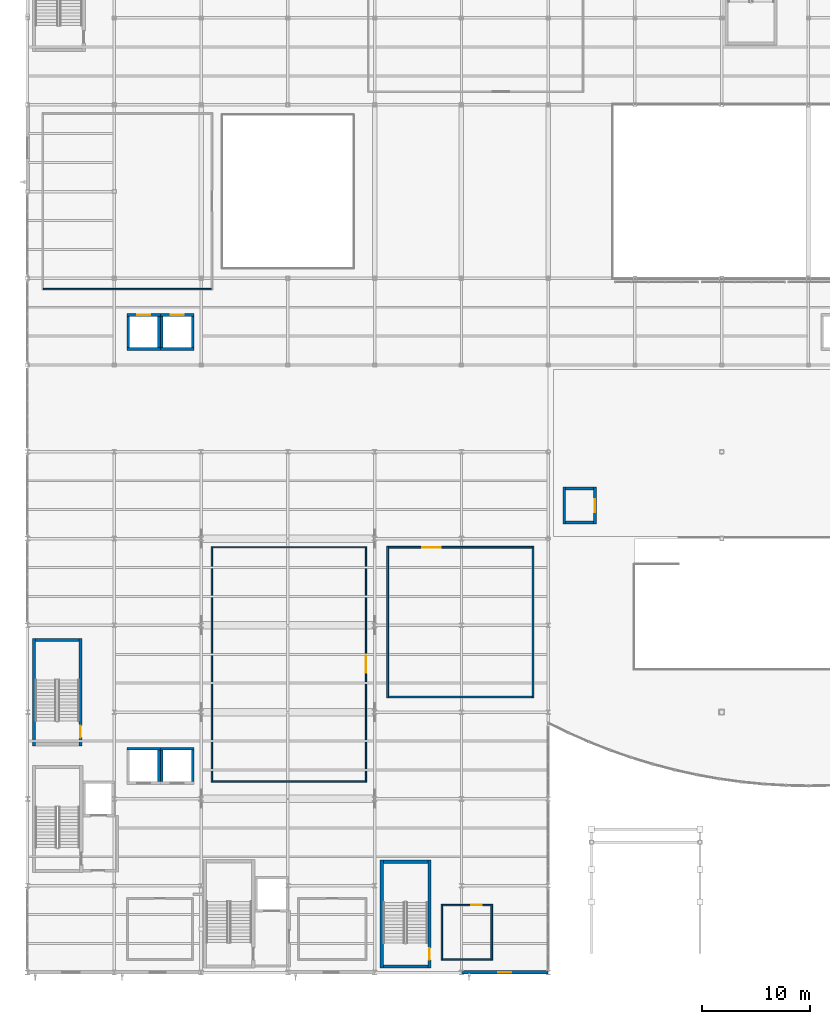
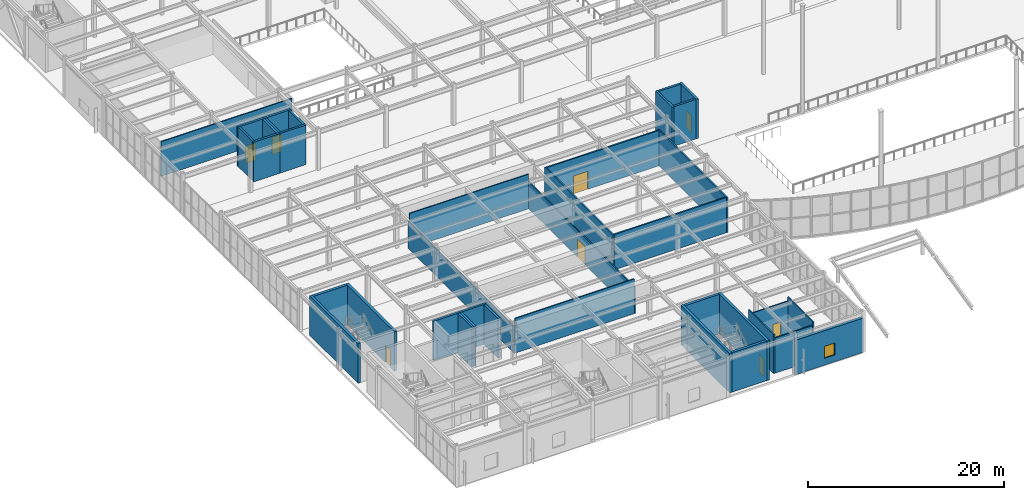
# One storey, part 57 of 77: 38 walls, 8 doors, 1 window, 9 openings.
"""IFC4 building model written with IfcOpenShell, lengths in metres."""

from ifc_helpers import new_model, si_unit, direction, frame, frame_2d, origin, place, context, subcontext, project, spatial, rectangle, extrude, material, layer, layer_set, type_object, element, fill, save


model = new_model("IFC4")

# Units and contexts
model_context = context("Model", 3, precision=1e-05, world=origin(), true_north=direction((0.0, 1.0)))
body_context = subcontext(model_context, "Body", "Model", "MODEL_VIEW")
ifc_project = project(units=[si_unit("LENGTHUNIT", "METRE"), si_unit("AREAUNIT", "SQUARE_METRE"), si_unit("VOLUMEUNIT", "CUBIC_METRE"), si_unit("PLANEANGLEUNIT", "RADIAN"), si_unit("MASSUNIT", "GRAM", prefix="KILO")], contexts=[model_context])

# Site, building, storey
site_placement = place(None, origin())
site = spatial("IfcSite", under=ifc_project, at=site_placement, CompositionType="ELEMENT")
building_placement = place(site_placement, origin())
building = spatial("IfcBuilding", under=site, at=building_placement, Name="Drelvath Fold Interchange", CompositionType="ELEMENT")
storey_placement = place(building_placement, frame((0.0, 0.0, 6.0)))
storey = spatial("IfcBuildingStorey", under=building, at=storey_placement, Name="L01", CompositionType="ELEMENT", Elevation=6.0)

# Wall, opening, door
ifc_material_1 = material(Name="Concrete f'c 45 MPa (6500 psi)", Category="concrete")
ifc_layer_1 = layer(ifc_material_1, 0.300048828125, Name="Concrete f'c 45 MPa (6500 psi)")
ifc_layer_set_1 = layer_set([ifc_layer_1], Name="Concrete f'c 45 MPa (6500 psi)")
wall_type_1 = type_object("IfcWallType", Name="WL-CR300", PredefinedType="SHEAR", material=ifc_layer_set_1)
wall_1_placement = place(storey_placement, frame((8.8798828125, 23.89990234375, 0.0), z_axis=(0.0, 0.0, 1.0), x_axis=(0.0, 1.0, 0.0)))
wall_1 = element("IfcWall", 1, at=wall_1_placement, inside=storey, type_object=wall_type_1, Name="ST-02 L01 east core wall", PredefinedType="SHEAR", context=body_context, shape_type="SweptSolid", body=[
    extrude(rectangle(XDim=9.900146484375, YDim=0.300048828125, at=frame_2d((4.9501953125, 0.0))), origin(), (0.0, 0.0, 1.0), 4.945068359375),
])
opening_1_placement = place(wall_1_placement, frame((0.75, 0.0, 0.0)))
opening_1 = element("IfcOpeningElement", 2, at=opening_1_placement, cuts=wall_1, Name="Opening D-L01-012", PredefinedType="OPENING", context=body_context, shape_type="SweptSolid", body=[
    extrude(rectangle(XDim=1.10009765625, YDim=2.14990234375, at=frame_2d((0.550048828125, 1.074951171875))), frame((0.0, 0.159912109375, 0.0), z_axis=(0.0, -1.0, 0.0), x_axis=(1.0, 0.0, 0.0)), (0.0, 0.0, 1.0), 0.320068359375),
])
ifc_material_2 = material(Name="Insulated Hollow Metal Door Assembly")
door_type_1 = type_object("IfcDoorType", Name="DR-ST1100", OperationType="NOTDEFINED", PredefinedType="DOOR", material=ifc_material_2)
door_1_placement = place(opening_1_placement, origin())
door_1 = element("IfcDoor", 3, at=door_1_placement, inside=storey, type_object=door_type_1, Name="ST-02 L01 stair fire door D-L01-012", OperationType="SINGLE_SWING_RIGHT", OverallHeight=2.14990234375, OverallWidth=1.10009765625, PredefinedType="DOOR", context=body_context, shape_type="SweptSolid", body=[
    extrude(rectangle(XDim=1.10009765625, YDim=2.14990234375, at=frame_2d((0.550048828125, 1.074951171875))), frame((0.0, 0.02490234375, 0.0), z_axis=(0.0, -1.0, 0.0), x_axis=(1.0, 0.0, 0.0)), (0.0, 0.0, 1.0), 0.050048828125),
])
fill(opening_1, door_1)

# Walls
wall_2_placement = place(storey_placement, frame((8.72998046875, 33.64990234375, 0.0), z_axis=(0.0, 0.0, 1.0), x_axis=(-1.0, 0.0, 0.0)))
element("IfcWall", 4, at=wall_2_placement, inside=storey, type_object=wall_type_1, Name="ST-02 L01 north core wall", PredefinedType="SHEAR", context=body_context, shape_type="SweptSolid", body=[
    extrude(rectangle(XDim=3.97998046875, YDim=0.300048828125, at=frame_2d((1.989990234375, 0.0))), origin(), (0.0, 0.0, 1.0), 4.945068359375),
])
wall_3_placement = place(storey_placement, frame((4.60009765625, 33.800048828125, 0.0), z_axis=(0.0, 0.0, 1.0), x_axis=(0.0, -1.0, 0.0)))
element("IfcWall", 5, at=wall_3_placement, inside=storey, type_object=wall_type_1, Name="ST-02 L01 west core wall", PredefinedType="SHEAR", context=body_context, shape_type="SweptSolid", body=[
    extrude(rectangle(XDim=9.900146484375, YDim=0.300048828125, at=frame_2d((4.9501953125, 0.0))), origin(), (0.0, 0.0, 1.0), 4.945068359375),
])
wall_4_placement = place(storey_placement, frame((36.800048828125, 3.550048828125, 0.0), z_axis=(0.0, 0.0, 1.0), x_axis=(1.0, 0.0, 0.0)))
element("IfcWall", 6, at=wall_4_placement, inside=storey, type_object=wall_type_1, Name="ST-04 L01 south core wall", PredefinedType="SHEAR", context=body_context, shape_type="SweptSolid", body=[
    extrude(rectangle(XDim=4.099853515625, YDim=0.300048828125, at=frame_2d((2.0498046875, 0.0))), origin(), (0.0, 0.0, 1.0), 4.945068359375),
])

# Wall, opening, door
wall_5_placement = place(storey_placement, frame((41.050048828125, 3.39990234375, 0.0), z_axis=(0.0, 0.0, 1.0), x_axis=(0.0, 1.0, 0.0)))
wall_5 = element("IfcWall", 7, at=wall_5_placement, inside=storey, type_object=wall_type_1, Name="ST-04 L01 east core wall", PredefinedType="SHEAR", context=body_context, shape_type="SweptSolid", body=[
    extrude(rectangle(XDim=9.9501953125, YDim=0.300048828125, at=frame_2d((4.97509765625, 0.0))), origin(), (0.0, 0.0, 1.0), 4.945068359375),
])
opening_2_placement = place(wall_5_placement, frame((0.75, 0.0, 0.0)))
opening_2 = element("IfcOpeningElement", 8, at=opening_2_placement, cuts=wall_5, Name="Opening D-L01-028", PredefinedType="OPENING", context=body_context, shape_type="SweptSolid", body=[
    extrude(rectangle(XDim=1.10009765625, YDim=2.14990234375, at=frame_2d((0.550048828125, 1.074951171875))), frame((0.0, 0.159912109375, 0.0), z_axis=(0.0, -1.0, 0.0), x_axis=(1.0, 0.0, 0.0)), (0.0, 0.0, 1.0), 0.320068359375),
])
door_2_placement = place(opening_2_placement, origin())
door_2 = element("IfcDoor", 9, at=door_2_placement, inside=storey, type_object=door_type_1, Name="ST-04 L01 stair fire door D-L01-028", OperationType="SINGLE_SWING_RIGHT", OverallHeight=2.14990234375, OverallWidth=1.10009765625, PredefinedType="DOOR", context=body_context, shape_type="SweptSolid", body=[
    extrude(rectangle(XDim=1.10009765625, YDim=2.14990234375, at=frame_2d((0.550048828125, 1.074951171875))), frame((0.0, 0.02490234375, 0.0), z_axis=(0.0, -1.0, 0.0), x_axis=(1.0, 0.0, 0.0)), (0.0, 0.0, 1.0), 0.050048828125),
])
fill(opening_2, door_2)

# Walls
wall_6_placement = place(storey_placement, frame((40.89990234375, 13.199951171875, 0.0), z_axis=(0.0, 0.0, 1.0), x_axis=(-1.0, 0.0, 0.0)))
element("IfcWall", 10, at=wall_6_placement, inside=storey, type_object=wall_type_1, Name="ST-04 L01 north core wall", PredefinedType="SHEAR", context=body_context, shape_type="SweptSolid", body=[
    extrude(rectangle(XDim=4.099853515625, YDim=0.300048828125, at=frame_2d((2.0498046875, 0.0))), origin(), (0.0, 0.0, 1.0), 4.945068359375),
])
wall_7_placement = place(storey_placement, frame((36.64990234375, 13.35009765625, 0.0), z_axis=(0.0, 0.0, 1.0), x_axis=(0.0, -1.0, 0.0)))
element("IfcWall", 11, at=wall_7_placement, inside=storey, type_object=wall_type_1, Name="ST-04 L01 west core wall", PredefinedType="SHEAR", context=body_context, shape_type="SweptSolid", body=[
    extrude(rectangle(XDim=9.9501953125, YDim=0.300048828125, at=frame_2d((4.97509765625, 0.0))), origin(), (0.0, 0.0, 1.0), 4.945068359375),
])

# Wall, opening, window
ifc_material_3 = material(Name="Precast concrete f'c 40 MPa (6000 psi)", Category="concrete")
ifc_layer_2 = layer(ifc_material_3, 0.31494140625, Name="Precast concrete f'c 40 MPa (6000 psi)")
ifc_layer_set_2 = layer_set([ifc_layer_2], Name="Precast concrete f'c 40 MPa (6000 psi)")
wall_type_2 = type_object("IfcWallType", Name="WL-EXT315", PredefinedType="SOLIDWALL", material=ifc_layer_set_2)
wall_8_placement = place(storey_placement, frame((44.012939453125, 3.0, 0.0), z_axis=(0.0, 0.0, 1.0), x_axis=(1.0, 0.0, 0.0)))
wall_8 = element("IfcWall", 12, at=wall_8_placement, inside=storey, type_object=wall_type_2, Name="L01 exterior facade wall 58", PredefinedType="SOLIDWALL", context=body_context, shape_type="SweptSolid", body=[
    extrude(rectangle(XDim=7.97412109375, YDim=0.31494140625, at=frame_2d((3.987060546875, 0.0))), origin(), (0.0, 0.0, 1.0), 4.300048828125),
])
opening_3_placement = place(wall_8_placement, frame((3.386962890625, 0.0, 0.85009765625)))
opening_3 = element("IfcOpeningElement", 13, at=opening_3_placement, cuts=wall_8, Name="Opening W-L01-052", PredefinedType="OPENING", context=body_context, shape_type="SweptSolid", body=[
    extrude(rectangle(XDim=1.199951171875, YDim=1.5, at=frame_2d((0.60009765625, 0.75))), frame((0.0, 0.16748046875, 0.0), z_axis=(0.0, -1.0, 0.0), x_axis=(1.0, 0.0, 0.0)), (0.0, 0.0, 1.0), 0.3349609375),
])
ifc_material_4 = material(Name="Low-Iron Insulated Laminated Glass", Category="glass")
window_type = type_object("IfcWindowType", Name="WN-120x150", PartitioningType="SINGLE_PANEL", PredefinedType="WINDOW", material=ifc_material_4)
window_placement = place(opening_3_placement, origin())
window = element("IfcWindow", 14, at=window_placement, inside=storey, type_object=window_type, Name="Facade window W-L01-052", OverallHeight=1.5, OverallWidth=1.199951171875, PartitioningType="SINGLE_PANEL", PredefinedType="WINDOW", context=body_context, shape_type="SweptSolid", body=[
    extrude(rectangle(XDim=1.199951171875, YDim=1.5, at=frame_2d((0.60009765625, 0.75))), frame((0.0, 0.030029296875, 0.0), z_axis=(0.0, -1.0, 0.0), x_axis=(1.0, 0.0, 0.0)), (0.0, 0.0, 1.0), 0.06005859375),
])
fill(opening_3, window)

# Wall
ifc_material_5 = material(Name="Acoustic Gypsum Board Partition Assembly")
ifc_layer_3 = layer(ifc_material_5, 0.1298828125, Name="Acoustic Gypsum Board Partition Assembly")
ifc_layer_set_3 = layer_set([ifc_layer_3], Name="Acoustic Gypsum Board Partition Assembly")
wall_type_3 = type_object("IfcWallType", Name="WL-PT130", PredefinedType="PARTITIONING", material=ifc_layer_set_3)
wall_9_placement = place(storey_placement, frame((21.06494140625, 20.60009765625, 0.0), z_axis=(0.0, 0.0, 1.0), x_axis=(1.0, 0.0, 0.0)))
element("IfcWall", 15, at=wall_9_placement, inside=storey, type_object=wall_type_3, Name="Public Transit Exhibition Gallery S partition", PredefinedType="PARTITIONING", context=body_context, shape_type="SweptSolid", body=[
    extrude(rectangle(XDim=14.070068359375, YDim=0.1298828125, at=frame_2d((7.03515625, 0.0))), origin(), (0.0, 0.0, 1.0), 4.326904296875),
])

# Wall, opening, door
wall_10_placement = place(storey_placement, frame((35.199951171875, 20.534912109375, 0.0), z_axis=(0.0, 0.0, 1.0), x_axis=(0.0, 1.0, 0.0)))
wall_10 = element("IfcWall", 16, at=wall_10_placement, inside=storey, type_object=wall_type_3, Name="Public Transit Exhibition Gallery E partition", PredefinedType="PARTITIONING", context=body_context, shape_type="SweptSolid", body=[
    extrude(rectangle(XDim=21.72998046875, YDim=0.1298828125, at=frame_2d((10.864990234375, 0.0))), origin(), (0.0, 0.0, 1.0), 3.344970703125),
])
opening_4_placement = place(wall_10_placement, frame((10.0849609375, 0.0, 0.0)))
opening_4 = element("IfcOpeningElement", 17, at=opening_4_placement, cuts=wall_10, Name="Opening D-L01-103", PredefinedType="OPENING", context=body_context, shape_type="SweptSolid", body=[
    extrude(rectangle(XDim=1.56005859375, YDim=2.219970703125, at=frame_2d((0.780029296875, 1.10986328125))), frame((0.0, 0.074951171875, 0.0), z_axis=(0.0, -1.0, 0.0), x_axis=(1.0, 0.0, 0.0)), (0.0, 0.0, 1.0), 0.14990234375),
])
ifc_material_6 = material(Name="Anodized Aluminium Glazed Door Assembly", Category="aluminium")
door_type_2 = type_object("IfcDoorType", Name="DR-NR156", OperationType="DOUBLE_DOOR_SINGLE_SWING", PredefinedType="DOOR", material=ifc_material_6)
door_3_placement = place(opening_4_placement, origin())
door_3 = element("IfcDoor", 18, at=door_3_placement, inside=storey, type_object=door_type_2, Name="Public Transit Exhibition Gallery door D-L01-103", OperationType="DOUBLE_DOOR_SINGLE_SWING", OverallHeight=2.219970703125, OverallWidth=1.56005859375, PredefinedType="DOOR", context=body_context, shape_type="SweptSolid", body=[
    extrude(rectangle(XDim=1.56005859375, YDim=2.219970703125, at=frame_2d((0.780029296875, 1.10986328125))), frame((0.0, 0.02490234375, 0.0), z_axis=(0.0, -1.0, 0.0), x_axis=(1.0, 0.0, 0.0)), (0.0, 0.0, 1.0), 0.050048828125),
])
fill(opening_4, door_3)

# Walls
wall_11_placement = place(storey_placement, frame((35.135009765625, 42.199951171875, 0.0), z_axis=(0.0, 0.0, 1.0), x_axis=(-1.0, 0.0, 0.0)))
element("IfcWall", 19, at=wall_11_placement, inside=storey, type_object=wall_type_3, Name="Public Transit Exhibition Gallery N partition", PredefinedType="PARTITIONING", context=body_context, shape_type="SweptSolid", body=[
    extrude(rectangle(XDim=14.070068359375, YDim=0.1298828125, at=frame_2d((7.03515625, 0.0))), origin(), (0.0, 0.0, 1.0), 4.326904296875),
])
wall_12_placement = place(storey_placement, frame((21.0, 42.264892578125, 0.0), z_axis=(0.0, 0.0, 1.0), x_axis=(0.0, -1.0, 0.0)))
element("IfcWall", 20, at=wall_12_placement, inside=storey, type_object=wall_type_3, Name="Public Transit Exhibition Gallery W partition", PredefinedType="PARTITIONING", context=body_context, shape_type="SweptSolid", body=[
    extrude(rectangle(XDim=21.72998046875, YDim=0.1298828125, at=frame_2d((10.864990234375, 0.0))), origin(), (0.0, 0.0, 1.0), 3.344970703125),
])
wall_13_placement = place(storey_placement, frame((5.465087890625, 66.0, 0.0), z_axis=(0.0, 0.0, 1.0), x_axis=(1.0, 0.0, 0.0)))
element("IfcWall", 21, at=wall_13_placement, inside=storey, type_object=wall_type_3, Name="Passenger Food Court and Canteen S partition", PredefinedType="PARTITIONING", context=body_context, shape_type="SweptSolid", body=[
    extrude(rectangle(XDim=15.469970703125, YDim=0.1298828125, at=frame_2d((7.73486328125, 0.0))), origin(), (0.0, 0.0, 1.0), 4.326904296875),
])
ifc_layer_4 = layer(ifc_material_5, 0.14501953125, Name="Acoustic Gypsum Board Partition Assembly")
ifc_layer_set_4 = layer_set([ifc_layer_4], Name="Acoustic Gypsum Board Partition Assembly")
wall_type_4 = type_object("IfcWallType", Name="WL-PT145", PredefinedType="PARTITIONING", material=ifc_layer_set_4)
wall_14_placement = place(storey_placement, frame((42.27294921875, 4.199951171875, 0.0), z_axis=(0.0, 0.0, 1.0), x_axis=(1.0, 0.0, 0.0)))
element("IfcWall", 22, at=wall_14_placement, inside=storey, type_object=wall_type_4, Name="Gallery Accessible WC S partition", PredefinedType="PARTITIONING", context=body_context, shape_type="SweptSolid", body=[
    extrude(rectangle(XDim=4.4541015625, YDim=0.14501953125, at=frame_2d((2.22705078125, 0.0))), origin(), (0.0, 0.0, 1.0), 4.406982421875),
])
wall_15_placement = place(storey_placement, frame((46.800048828125, 4.1279296875, 0.0), z_axis=(0.0, 0.0, 1.0), x_axis=(0.0, 1.0, 0.0)))
element("IfcWall", 23, at=wall_15_placement, inside=storey, type_object=wall_type_4, Name="Gallery Accessible WC E partition", PredefinedType="PARTITIONING", context=body_context, shape_type="SweptSolid", body=[
    extrude(rectangle(XDim=5.14404296875, YDim=0.14501953125, at=frame_2d((2.572021484375, 0.0))), origin(), (0.0, 0.0, 1.0), 4.8701171875),
])

# Wall, opening, door
wall_16_placement = place(storey_placement, frame((46.72705078125, 9.199951171875, 0.0), z_axis=(0.0, 0.0, 1.0), x_axis=(-1.0, 0.0, 0.0)))
wall_16 = element("IfcWall", 24, at=wall_16_placement, inside=storey, type_object=wall_type_4, Name="Gallery Accessible WC N partition", PredefinedType="PARTITIONING", context=body_context, shape_type="SweptSolid", body=[
    extrude(rectangle(XDim=4.4541015625, YDim=0.14501953125, at=frame_2d((2.22705078125, 0.0))), origin(), (0.0, 0.0, 1.0), 4.406982421875),
])
opening_5_placement = place(wall_16_placement, frame((0.85595703125, 0.0, 0.0)))
opening_5 = element("IfcOpeningElement", 25, at=opening_5_placement, cuts=wall_16, Name="Opening D-L01-109", PredefinedType="OPENING", context=body_context, shape_type="SweptSolid", body=[
    extrude(rectangle(XDim=0.9599609375, YDim=2.1201171875, at=frame_2d((0.47998046875, 1.06005859375))), frame((0.0, 0.08251953125, 0.0), z_axis=(0.0, -1.0, 0.0), x_axis=(1.0, 0.0, 0.0)), (0.0, 0.0, 1.0), 0.1650390625),
])
door_type_3 = type_object("IfcDoorType", Name="DR-NR096", OperationType="NOTDEFINED", PredefinedType="DOOR", material=ifc_material_6)
door_4_placement = place(opening_5_placement, frame((0.9599609375, 0.0, 0.0), z_axis=(0.0, 0.0, 1.0), x_axis=(-1.0, 0.0, 0.0)))
door_4 = element("IfcDoor", 26, at=door_4_placement, inside=storey, type_object=door_type_3, Name="Gallery Accessible WC door D-L01-109", OperationType="SINGLE_SWING_LEFT", OverallHeight=2.1201171875, OverallWidth=0.9599609375, PredefinedType="DOOR", context=body_context, shape_type="SweptSolid", body=[
    extrude(rectangle(XDim=0.9599609375, YDim=2.1201171875, at=frame_2d((0.47998046875, 1.06005859375))), frame((0.0, 0.02490234375, 0.0), z_axis=(0.0, -1.0, 0.0), x_axis=(1.0, 0.0, 0.0)), (0.0, 0.0, 1.0), 0.050048828125),
])
fill(opening_5, door_4)

# Walls
wall_17_placement = place(storey_placement, frame((42.199951171875, 9.27197265625, 0.0), z_axis=(0.0, 0.0, 1.0), x_axis=(0.0, -1.0, 0.0)))
element("IfcWall", 27, at=wall_17_placement, inside=storey, type_object=wall_type_4, Name="Gallery Accessible WC W partition", PredefinedType="PARTITIONING", context=body_context, shape_type="SweptSolid", body=[
    extrude(rectangle(XDim=5.14404296875, YDim=0.14501953125, at=frame_2d((2.572021484375, 0.0))), origin(), (0.0, 0.0, 1.0), 4.8701171875),
])
ifc_layer_5 = layer(ifc_material_5, 0.169921875, Name="Acoustic Gypsum Board Partition Assembly")
ifc_layer_set_5 = layer_set([ifc_layer_5], Name="Acoustic Gypsum Board Partition Assembly")
wall_type_5 = type_object("IfcWallType", Name="WL-PT170", PredefinedType="PARTITIONING", material=ifc_layer_set_5)
wall_18_placement = place(storey_placement, frame((37.284912109375, 28.39990234375, 0.0), z_axis=(0.0, 0.0, 1.0), x_axis=(1.0, 0.0, 0.0)))
element("IfcWall", 28, at=wall_18_placement, inside=storey, type_object=wall_type_5, Name="Civic Mobility Briefing Auditorium S partition", PredefinedType="PARTITIONING", context=body_context, shape_type="SweptSolid", body=[
    extrude(rectangle(XDim=13.22998046875, YDim=0.169921875, at=frame_2d((6.614990234375, 0.0))), origin(), (0.0, 0.0, 1.0), 4.406982421875),
])
wall_19_placement = place(storey_placement, frame((50.60009765625, 28.31494140625, 0.0), z_axis=(0.0, 0.0, 1.0), x_axis=(0.0, 1.0, 0.0)))
element("IfcWall", 29, at=wall_19_placement, inside=storey, type_object=wall_type_5, Name="Civic Mobility Briefing Auditorium E partition", PredefinedType="PARTITIONING", context=body_context, shape_type="SweptSolid", body=[
    extrude(rectangle(XDim=13.969970703125, YDim=0.169921875, at=frame_2d((6.98486328125, 0.0))), origin(), (0.0, 0.0, 1.0), 4.406982421875),
])

# Wall, opening, door
wall_20_placement = place(storey_placement, frame((50.514892578125, 42.199951171875, 0.0), z_axis=(0.0, 0.0, 1.0), x_axis=(-1.0, 0.0, 0.0)))
wall_20 = element("IfcWall", 30, at=wall_20_placement, inside=storey, type_object=wall_type_5, Name="Civic Mobility Briefing Auditorium N partition", PredefinedType="PARTITIONING", context=body_context, shape_type="SweptSolid", body=[
    extrude(rectangle(XDim=13.22998046875, YDim=0.169921875, at=frame_2d((6.614990234375, 0.0))), origin(), (0.0, 0.0, 1.0), 4.406982421875),
])
opening_6_placement = place(wall_20_placement, frame((8.40087890625, 0.0, 0.0)))
opening_6 = element("IfcOpeningElement", 31, at=opening_6_placement, cuts=wall_20, Name="Opening D-L01-104", PredefinedType="OPENING", context=body_context, shape_type="SweptSolid", body=[
    extrude(rectangle(XDim=1.719970703125, YDim=2.25, at=frame_2d((0.85986328125, 1.125))), frame((0.0, 0.094970703125, 0.0), z_axis=(0.0, -1.0, 0.0), x_axis=(1.0, 0.0, 0.0)), (0.0, 0.0, 1.0), 0.18994140625),
])
door_type_4 = type_object("IfcDoorType", Name="DR-NR172", OperationType="DOUBLE_DOOR_SINGLE_SWING", PredefinedType="DOOR", material=ifc_material_6)
door_5_placement = place(opening_6_placement, origin())
door_5 = element("IfcDoor", 32, at=door_5_placement, inside=storey, type_object=door_type_4, Name="Civic Mobility Briefing Auditorium door D-L01-104", OperationType="DOUBLE_DOOR_SINGLE_SWING", OverallHeight=2.25, OverallWidth=1.719970703125, PredefinedType="DOOR", context=body_context, shape_type="SweptSolid", body=[
    extrude(rectangle(XDim=1.719970703125, YDim=2.25, at=frame_2d((0.85986328125, 1.125))), frame((0.0, 0.02490234375, 0.0), z_axis=(0.0, -1.0, 0.0), x_axis=(1.0, 0.0, 0.0)), (0.0, 0.0, 1.0), 0.050048828125),
])
fill(opening_6, door_5)

# Walls
wall_21_placement = place(storey_placement, frame((37.199951171875, 42.284912109375, 0.0), z_axis=(0.0, 0.0, 1.0), x_axis=(0.0, -1.0, 0.0)))
element("IfcWall", 33, at=wall_21_placement, inside=storey, type_object=wall_type_5, Name="Civic Mobility Briefing Auditorium W partition", PredefinedType="PARTITIONING", context=body_context, shape_type="SweptSolid", body=[
    extrude(rectangle(XDim=13.969970703125, YDim=0.169921875, at=frame_2d((6.98486328125, 0.0))), origin(), (0.0, 0.0, 1.0), 4.406982421875),
])
ifc_layer_6 = layer(ifc_material_1, 0.25, Name="Concrete f'c 45 MPa (6500 psi)")
ifc_layer_set_6 = layer_set([ifc_layer_6], Name="Concrete f'c 45 MPa (6500 psi)")
wall_type_6 = type_object("IfcWallType", Name="WL-SH250", PredefinedType="SOLIDWALL", material=ifc_layer_set_6)
wall_22_placement = place(storey_placement, frame((16.25, 23.625, 0.0), z_axis=(0.0, 0.0, 1.0), x_axis=(-1.0, 0.0, 0.0)))
element("IfcWall", 34, at=wall_22_placement, inside=storey, type_object=wall_type_6, Name="LF-01 L01 north shaft wall", PredefinedType="SOLIDWALL", context=body_context, shape_type="SweptSolid", body=[
    extrude(rectangle(XDim=3.10009765625, YDim=0.25, at=frame_2d((1.550048828125, 0.0))), origin(), (0.0, 0.0, 1.0), 4.945068359375),
])
wall_23_placement = place(storey_placement, frame((16.125, 20.60009765625, 0.0), z_axis=(0.0, 0.0, 1.0), x_axis=(0.0, 1.0, 0.0)))
element("IfcWall", 35, at=wall_23_placement, inside=storey, type_object=wall_type_6, Name="LF-01 L01 east shaft wall", PredefinedType="SOLIDWALL", context=body_context, shape_type="SweptSolid", body=[
    extrude(rectangle(XDim=2.89990234375, YDim=0.25, at=frame_2d((1.449951171875, 0.0))), origin(), (0.0, 0.0, 1.0), 4.945068359375),
])
wall_24_placement = place(storey_placement, frame((19.35009765625, 23.625, 0.0), z_axis=(0.0, 0.0, 1.0), x_axis=(-1.0, 0.0, 0.0)))
element("IfcWall", 36, at=wall_24_placement, inside=storey, type_object=wall_type_6, Name="LF-02 L01 north shaft wall", PredefinedType="SOLIDWALL", context=body_context, shape_type="SweptSolid", body=[
    extrude(rectangle(XDim=3.10009765625, YDim=0.25, at=frame_2d((1.550048828125, 0.0))), origin(), (0.0, 0.0, 1.0), 4.945068359375),
])
for number, where, z_axis, x_axis, name in (
    (37, (19.22509765625, 20.60009765625, 0.0), (0.0, 0.0, 1.0), (0.0, 1.0, 0.0), "LF-02 L01 east shaft wall"),
    (38, (16.375, 23.5, 0.0), (0.0, 0.0, 1.0), (0.0, -1.0, 0.0), "LF-02 L01 west shaft wall"),
):
    element("IfcWall", number, at=place(storey_placement, frame(where, z_axis=z_axis, x_axis=x_axis)), inside=storey, type_object=wall_type_6, Name=name, PredefinedType="SOLIDWALL", context=body_context, shape_type="SweptSolid", body=[
        extrude(rectangle(XDim=2.89990234375, YDim=0.25, at=frame_2d((1.449951171875, 0.0))), origin(), (0.0, 0.0, 1.0), 4.945068359375),
    ])
wall_25_placement = place(storey_placement, frame((13.14990234375, 60.47509765625, 0.0), z_axis=(0.0, 0.0, 1.0), x_axis=(1.0, 0.0, 0.0)))
element("IfcWall", 39, at=wall_25_placement, inside=storey, type_object=wall_type_6, Name="LF-03 L01 south shaft wall", PredefinedType="SOLIDWALL", context=body_context, shape_type="SweptSolid", body=[
    extrude(rectangle(XDim=3.10009765625, YDim=0.25, at=frame_2d((1.550048828125, 0.0))), origin(), (0.0, 0.0, 1.0), 4.945068359375),
])

# Wall, opening, door
wall_26_placement = place(storey_placement, frame((16.25, 63.625, 0.0), z_axis=(0.0, 0.0, 1.0), x_axis=(-1.0, 0.0, 0.0)))
wall_26 = element("IfcWall", 40, at=wall_26_placement, inside=storey, type_object=wall_type_6, Name="LF-03 L01 north shaft wall", PredefinedType="SOLIDWALL", context=body_context, shape_type="SweptSolid", body=[
    extrude(rectangle(XDim=3.10009765625, YDim=0.25, at=frame_2d((1.550048828125, 0.0))), origin(), (0.0, 0.0, 1.0), 4.945068359375),
])
opening_7_placement = place(wall_26_placement, frame((0.949951171875, 0.0, 0.0)))
opening_7 = element("IfcOpeningElement", 41, at=opening_7_placement, cuts=wall_26, Name="Opening LD-LF-03-L01", PredefinedType="OPENING", context=body_context, shape_type="SweptSolid", body=[
    extrude(rectangle(XDim=1.199951171875, YDim=2.199951171875, at=frame_2d((0.60009765625, 1.10009765625))), frame((0.0, 0.135009765625, 0.0), z_axis=(0.0, -1.0, 0.0), x_axis=(1.0, 0.0, 0.0)), (0.0, 0.0, 1.0), 0.27001953125),
])
door_type_5 = type_object("IfcDoorType", Name="DR-LD1200", OperationType="DOUBLE_DOOR_SLIDING", PredefinedType="DOOR", material=ifc_material_2)
door_6_placement = place(opening_7_placement, frame((1.199951171875, 0.0, 0.0), z_axis=(0.0, 0.0, 1.0), x_axis=(-1.0, 0.0, 0.0)))
door_6 = element("IfcDoor", 42, at=door_6_placement, inside=storey, type_object=door_type_5, Name="LF-03 L01 lift landing sliding door LD-LF-03-L01", OperationType="DOUBLE_DOOR_SLIDING", OverallHeight=2.199951171875, OverallWidth=1.199951171875, PredefinedType="DOOR", context=body_context, shape_type="SweptSolid", body=[
    extrude(rectangle(XDim=1.199951171875, YDim=2.199951171875, at=frame_2d((0.60009765625, 1.10009765625))), frame((0.0, 0.02490234375, 0.0), z_axis=(0.0, -1.0, 0.0), x_axis=(1.0, 0.0, 0.0)), (0.0, 0.0, 1.0), 0.050048828125),
])
fill(opening_7, door_6)

# Walls
for number, where, z_axis, x_axis, name in (
    (43, (16.125, 60.60009765625, 0.0), (0.0, 0.0, 1.0), (0.0, 1.0, 0.0), "LF-03 L01 east shaft wall"),
    (44, (13.27490234375, 63.5, 0.0), (0.0, 0.0, 1.0), (0.0, -1.0, 0.0), "LF-03 L01 west shaft wall"),
):
    element("IfcWall", number, at=place(storey_placement, frame(where, z_axis=z_axis, x_axis=x_axis)), inside=storey, type_object=wall_type_6, Name=name, PredefinedType="SOLIDWALL", context=body_context, shape_type="SweptSolid", body=[
        extrude(rectangle(XDim=2.89990234375, YDim=0.25, at=frame_2d((1.449951171875, 0.0))), origin(), (0.0, 0.0, 1.0), 4.945068359375),
    ])
wall_27_placement = place(storey_placement, frame((16.25, 60.47509765625, 0.0), z_axis=(0.0, 0.0, 1.0), x_axis=(1.0, 0.0, 0.0)))
element("IfcWall", 45, at=wall_27_placement, inside=storey, type_object=wall_type_6, Name="LF-04 L01 south shaft wall", PredefinedType="SOLIDWALL", context=body_context, shape_type="SweptSolid", body=[
    extrude(rectangle(XDim=3.10009765625, YDim=0.25, at=frame_2d((1.550048828125, 0.0))), origin(), (0.0, 0.0, 1.0), 4.945068359375),
])

# Wall, opening, door
wall_28_placement = place(storey_placement, frame((19.35009765625, 63.625, 0.0), z_axis=(0.0, 0.0, 1.0), x_axis=(-1.0, 0.0, 0.0)))
wall_28 = element("IfcWall", 46, at=wall_28_placement, inside=storey, type_object=wall_type_6, Name="LF-04 L01 north shaft wall", PredefinedType="SOLIDWALL", context=body_context, shape_type="SweptSolid", body=[
    extrude(rectangle(XDim=3.10009765625, YDim=0.25, at=frame_2d((1.550048828125, 0.0))), origin(), (0.0, 0.0, 1.0), 4.945068359375),
])
opening_8_placement = place(wall_28_placement, frame((0.949951171875, 0.0, 0.0)))
opening_8 = element("IfcOpeningElement", 47, at=opening_8_placement, cuts=wall_28, Name="Opening LD-LF-04-L01", PredefinedType="OPENING", context=body_context, shape_type="SweptSolid", body=[
    extrude(rectangle(XDim=1.199951171875, YDim=2.199951171875, at=frame_2d((0.60009765625, 1.10009765625))), frame((0.0, 0.135009765625, 0.0), z_axis=(0.0, -1.0, 0.0), x_axis=(1.0, 0.0, 0.0)), (0.0, 0.0, 1.0), 0.27001953125),
])
door_7_placement = place(opening_8_placement, frame((1.199951171875, 0.0, 0.0), z_axis=(0.0, 0.0, 1.0), x_axis=(-1.0, 0.0, 0.0)))
door_7 = element("IfcDoor", 48, at=door_7_placement, inside=storey, type_object=door_type_5, Name="LF-04 L01 lift landing sliding door LD-LF-04-L01", OperationType="DOUBLE_DOOR_SLIDING", OverallHeight=2.199951171875, OverallWidth=1.199951171875, PredefinedType="DOOR", context=body_context, shape_type="SweptSolid", body=[
    extrude(rectangle(XDim=1.199951171875, YDim=2.199951171875, at=frame_2d((0.60009765625, 1.10009765625))), frame((0.0, 0.02490234375, 0.0), z_axis=(0.0, -1.0, 0.0), x_axis=(1.0, 0.0, 0.0)), (0.0, 0.0, 1.0), 0.050048828125),
])
fill(opening_8, door_7)

# Walls
for number, where, z_axis, x_axis, name in (
    (49, (19.22509765625, 60.60009765625, 0.0), (0.0, 0.0, 1.0), (0.0, 1.0, 0.0), "LF-04 L01 east shaft wall"),
    (50, (16.375, 63.5, 0.0), (0.0, 0.0, 1.0), (0.0, -1.0, 0.0), "LF-04 L01 west shaft wall"),
):
    element("IfcWall", number, at=place(storey_placement, frame(where, z_axis=z_axis, x_axis=x_axis)), inside=storey, type_object=wall_type_6, Name=name, PredefinedType="SOLIDWALL", context=body_context, shape_type="SweptSolid", body=[
        extrude(rectangle(XDim=2.89990234375, YDim=0.25, at=frame_2d((1.449951171875, 0.0))), origin(), (0.0, 0.0, 1.0), 4.945068359375),
    ])
for number, where, z_axis, x_axis, name in (
    (51, (53.60009765625, 44.47509765625, 0.0), (0.0, 0.0, 1.0), (1.0, 0.0, 0.0), "LF-07 L01 south shaft wall"),
    (52, (56.199951171875, 47.625, 0.0), (0.0, 0.0, 1.0), (-1.0, 0.0, 0.0), "LF-07 L01 north shaft wall"),
):
    element("IfcWall", number, at=place(storey_placement, frame(where, z_axis=z_axis, x_axis=x_axis)), inside=storey, type_object=wall_type_6, Name=name, PredefinedType="SOLIDWALL", context=body_context, shape_type="SweptSolid", body=[
        extrude(rectangle(XDim=2.599853515625, YDim=0.25, at=frame_2d((1.2998046875, 0.0))), origin(), (0.0, 0.0, 1.0), 4.945068359375),
    ])

# Wall, opening, door
wall_29_placement = place(storey_placement, frame((56.324951171875, 44.35009765625, 0.0), z_axis=(0.0, 0.0, 1.0), x_axis=(0.0, 1.0, 0.0)))
wall_29 = element("IfcWall", 53, at=wall_29_placement, inside=storey, type_object=wall_type_6, Name="LF-07 L01 east shaft wall", PredefinedType="SOLIDWALL", context=body_context, shape_type="SweptSolid", body=[
    extrude(rectangle(XDim=3.39990234375, YDim=0.25, at=frame_2d((1.699951171875, 0.0))), origin(), (0.0, 0.0, 1.0), 4.945068359375),
])
opening_9_placement = place(wall_29_placement, frame((1.10009765625, 0.0, 0.0)))
opening_9 = element("IfcOpeningElement", 54, at=opening_9_placement, cuts=wall_29, Name="Opening LD-LF-07-L01", PredefinedType="OPENING", context=body_context, shape_type="SweptSolid", body=[
    extrude(rectangle(XDim=1.199951171875, YDim=2.199951171875, at=frame_2d((0.60009765625, 1.10009765625))), frame((0.0, 0.135009765625, 0.0), z_axis=(0.0, -1.0, 0.0), x_axis=(1.0, 0.0, 0.0)), (0.0, 0.0, 1.0), 0.27001953125),
])
door_8_placement = place(opening_9_placement, frame((1.199951171875, 0.0, 0.0), z_axis=(0.0, 0.0, 1.0), x_axis=(-1.0, 0.0, 0.0)))
door_8 = element("IfcDoor", 55, at=door_8_placement, inside=storey, type_object=door_type_5, Name="LF-07 L01 lift landing sliding door LD-LF-07-L01", OperationType="DOUBLE_DOOR_SLIDING", OverallHeight=2.199951171875, OverallWidth=1.199951171875, PredefinedType="DOOR", context=body_context, shape_type="SweptSolid", body=[
    extrude(rectangle(XDim=1.199951171875, YDim=2.199951171875, at=frame_2d((0.60009765625, 1.10009765625))), frame((0.0, 0.02490234375, 0.0), z_axis=(0.0, -1.0, 0.0), x_axis=(1.0, 0.0, 0.0)), (0.0, 0.0, 1.0), 0.050048828125),
])
fill(opening_9, door_8)

# Wall
wall_30_placement = place(storey_placement, frame((53.47509765625, 47.75, 0.0), z_axis=(0.0, 0.0, 1.0), x_axis=(0.0, -1.0, 0.0)))
element("IfcWall", 56, at=wall_30_placement, inside=storey, type_object=wall_type_6, Name="LF-07 L01 west shaft wall", PredefinedType="SOLIDWALL", context=body_context, shape_type="SweptSolid", body=[
    extrude(rectangle(XDim=3.39990234375, YDim=0.25, at=frame_2d((1.699951171875, 0.0))), origin(), (0.0, 0.0, 1.0), 4.945068359375),
])

save(model, "model.ifc")
